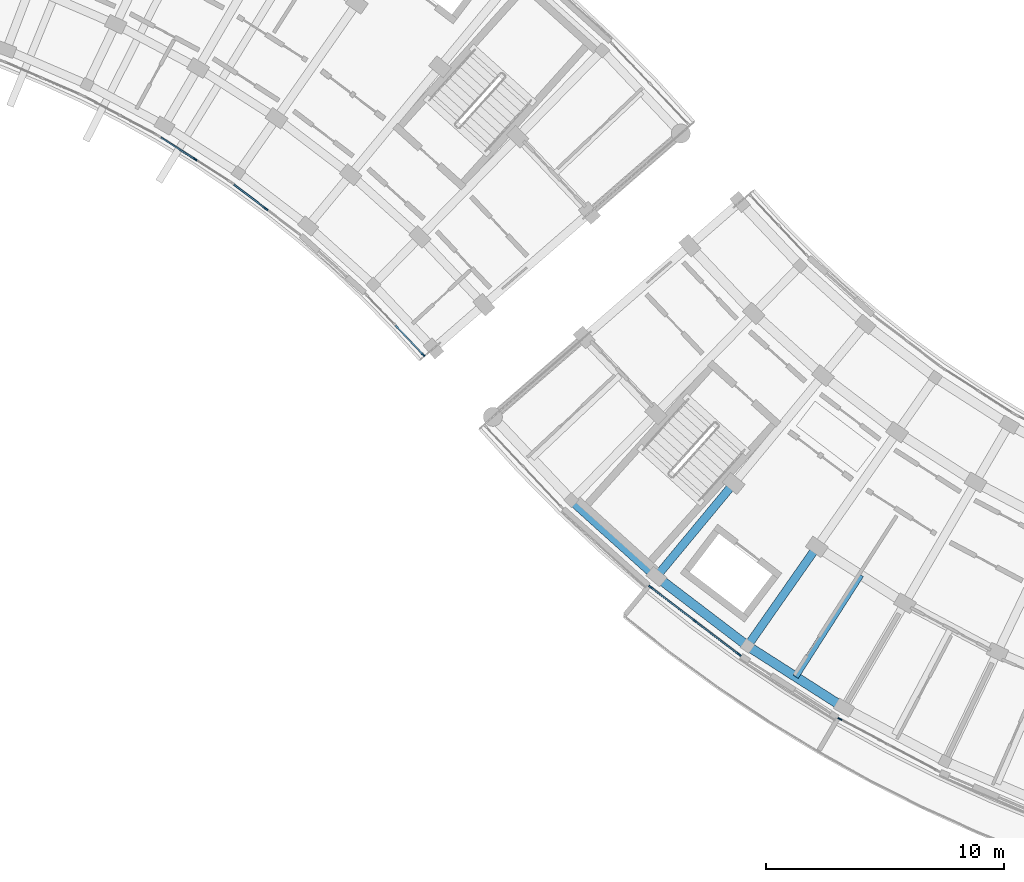
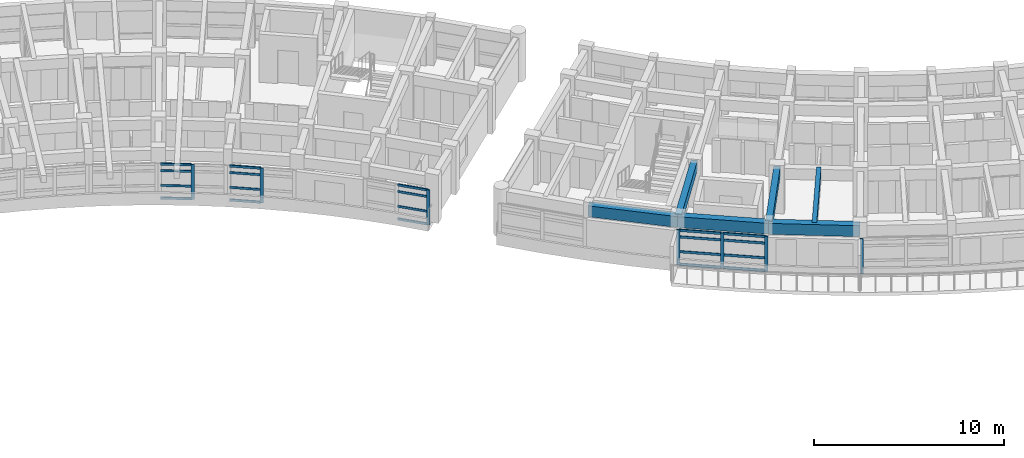
# One storey, part 9 of 54: 27 members, 6 beams, 5 elements without a shape of their own.
"""IFC4 building model written with IfcOpenShell, lengths in metres."""

from ifc_helpers import new_model, si_unit, direction, frame, origin, origin_2d, place, context, subcontext, project, spatial, rectangle, extrude, material, material_profile, profile_set, type_object, element, aggregate, save


model = new_model("IFC4")

# Units and contexts
model_context = context("Model", 3, precision=1e-05, world=origin(), true_north=direction((0.0, 1.0)))
body_context = subcontext(model_context, "Body", "Model", "MODEL_VIEW")
ifc_project = project(units=[si_unit("LENGTHUNIT", "METRE"), si_unit("AREAUNIT", "SQUARE_METRE"), si_unit("VOLUMEUNIT", "CUBIC_METRE"), si_unit("PLANEANGLEUNIT", "RADIAN"), si_unit("MASSUNIT", "GRAM", prefix="KILO")], contexts=[model_context])

# Site, building, storey
site_placement = place(None, origin())
site = spatial("IfcSite", under=ifc_project, at=site_placement, CompositionType="ELEMENT")
building_placement = place(site_placement, origin())
building = spatial("IfcBuilding", under=site, at=building_placement, Name="Zimvara Arc Housing Community", CompositionType="ELEMENT")
storey_placement = place(building_placement, frame((0.0, 0.0, 20.5)))
storey = spatial("IfcBuildingStorey", under=building, at=storey_placement, Name="L06", CompositionType="ELEMENT", Elevation=20.5)

# Beams
ifc_material_1 = material(Name="Concrete C40/50", Category="concrete")
ifc_material_profile_1 = material_profile(ifc_material_1, rectangle(XDim=0.25, YDim=0.449951171875, at=origin_2d()), Name="RC 250x450")
ifc_profile_set_1 = profile_set([ifc_material_profile_1], Name="Concrete C40/50")
beam_type_1 = type_object("IfcBeamType", Name="BM-RC-250x450", PredefinedType="JOIST", material=ifc_profile_set_1)
beam_1_placement = place(storey_placement, frame((97.00244140625, 64.583984375, 2.635009765625), z_axis=(-0.539052331508, -0.842272274206, 0.0), x_axis=(0.842272274206, -0.539052331508, 0.0)))
element("IfcBeam", 1, at=beam_1_placement, inside=storey, type_object=beam_type_1, Name="bm:blkC:L06:joist:b3", PredefinedType="JOIST", context=body_context, shape_type="SweptSolid", body=[
    extrude(rectangle(XDim=0.25, YDim=0.449951171875, at=origin_2d()), origin(), (0.0, 0.0, 1.0), 5.07568359375),
])
ifc_material_2 = material(Name="Concrete C40/50", Category="concrete")
ifc_material_profile_2 = material_profile(ifc_material_2, rectangle(XDim=0.35009765625, YDim=0.60009765625, at=origin_2d()), Name="RC 350x600")
ifc_profile_set_2 = profile_set([ifc_material_profile_2], Name="Concrete C40/50")
beam_type_2 = type_object("IfcBeamType", Name="BM-RC-350x600", PredefinedType="BEAM", material=ifc_profile_set_2)
beam_2_placement = place(storey_placement, frame((91.65771484375, 68.430419921875, 2.56005859375), z_axis=(-0.637960059333, -0.770069453164, 0.0), x_axis=(0.770069453164, -0.637960059333, 0.0)))
element("IfcBeam", 2, at=beam_2_placement, inside=storey, type_object=beam_type_2, Name="bm:blkC:L06:rad:b2:r23", PredefinedType="BEAM", context=body_context, shape_type="SweptSolid", body=[
    extrude(rectangle(XDim=0.35009765625, YDim=0.60009765625, at=origin_2d()), origin(), (0.0, 0.0, 1.0), 5.080322265625),
])
beam_3_placement = place(storey_placement, frame((95.15234375, 65.76806640625, 2.56005859375), z_axis=(-0.573007469479, -0.819550144848, 0.0), x_axis=(0.819550144848, -0.573007469479, 0.0)))
element("IfcBeam", 3, at=beam_3_placement, inside=storey, type_object=beam_type_2, Name="bm:blkC:L06:rad:b3:r23", PredefinedType="BEAM", context=body_context, shape_type="SweptSolid", body=[
    extrude(rectangle(XDim=0.35009765625, YDim=0.60009765625, at=origin_2d()), origin(), (0.0, 0.0, 1.0), 5.080078125),
])
ifc_material_3 = material(Name="Concrete C40/50", Category="concrete")
ifc_material_profile_3 = material_profile(ifc_material_3, rectangle(XDim=0.39990234375, YDim=0.699951171875, at=origin_2d()), Name="RC 400x700")
ifc_profile_set_3 = profile_set([ifc_material_profile_3], Name="Concrete C40/50")
beam_type_3 = type_object("IfcBeamType", Name="BM-RC-400x700", PredefinedType="BEAM", material=ifc_profile_set_3)
for number, where, z_axis, x_axis, name in (
    (4, (84.842529296875, 67.734375, 2.510009765625), (0.743369885629, -0.668880567172, 0.0), (0.668880567172, 0.743369885629, 0.0), "bm:blkC:L06:chord:r3:b1"),
    (5, (88.416748046875, 64.518310546875, 2.510009765625), (0.795480673672, -0.605978958228, 0.0), (0.605978958228, 0.795480673672, 0.0), "bm:blkC:L06:chord:r3:b2"),
    (6, (92.241455078125, 61.604736328125, 2.510009765625), (0.842278777856, -0.539042169383, 0.0), (0.539042169383, 0.842278777856, 0.0), "bm:blkC:L06:chord:r3:b3"),
):
    element("IfcBeam", number, at=place(storey_placement, frame(where, z_axis=z_axis, x_axis=x_axis)), inside=storey, type_object=beam_type_3, Name=name, PredefinedType="BEAM", context=body_context, shape_type="SweptSolid", body=[
        extrude(rectangle(XDim=0.39990234375, YDim=0.699951171875, at=origin_2d()), origin(), (0.0, 0.0, 1.0), 4.80810546875),
    ])

# Curtain wall, member
ifc_material_4 = material(Name="Anodised Aluminium AW-6063", Category="aluminium")
curtain_wall_type_1 = type_object("IfcCurtainWallType", Name="CW-SYS-02", PredefinedType="USERDEFINED", material=ifc_material_4)
curtain_wall_1_placement = place(storey_placement, origin())
curtain_wall_1 = element("IfcCurtainWall", 7, at=curtain_wall_1_placement, inside=storey, type_object=curtain_wall_type_1, Name="cw:blkB:L06:in:b6", ObjectType="CURTAIN WALL", PredefinedType="USERDEFINED")
ifc_material_5 = material(Name="Anodised Aluminium AW-6063", Category="aluminium")
ifc_material_profile_4 = material_profile(ifc_material_5, rectangle(XDim=0.06494140625, YDim=0.179931640625, at=origin_2d()), Name="ALU 65x180")
ifc_profile_set_4 = profile_set([ifc_material_profile_4], Name="Anodised Aluminium AW-6063")
member_type_1 = type_object("IfcMemberType", Name="CWM-65x150", PredefinedType="MULLION", material=ifc_profile_set_4)
member_1_placement = place(storey_placement, frame((69.032958984375, 82.050537109375, 0.0), z_axis=(0.0, 0.0, 1.0), x_axis=(0.539064085203, 0.842264751752, 0.0)))
member_1 = element("IfcMember", 8, at=member_1_placement, type_object=member_type_1, Name="CW02 mullion 2", PredefinedType="MULLION", context=body_context, shape_type="SweptSolid", body=[
    extrude(rectangle(XDim=0.06494140625, YDim=0.179931640625, at=origin_2d()), origin(), (0.0, 0.0, 1.0), 2.25),
])

ifc_material_6 = material(Name="Anodised Aluminium AW-6063", Category="aluminium")
curtain_wall_type_2 = type_object("IfcCurtainWallType", Name="CW-SYS-04", PredefinedType="USERDEFINED", material=ifc_material_6)
curtain_wall_2_placement = place(storey_placement, origin())
curtain_wall_2 = element("IfcCurtainWall", 9, at=curtain_wall_2_placement, inside=storey, type_object=curtain_wall_type_2, Name="cw:blkB:L06:in:b7", ObjectType="CURTAIN WALL", PredefinedType="USERDEFINED")
member_2_placement = place(storey_placement, frame((72.0166015625, 79.96435546875, 0.0), z_axis=(0.0, 0.0, 1.0), x_axis=(0.605988318533, 0.795473543119, 0.0)))
member_2 = element("IfcMember", 10, at=member_2_placement, type_object=member_type_1, Name="CW04 mullion 2", PredefinedType="MULLION", context=body_context, shape_type="SweptSolid", body=[
    extrude(rectangle(XDim=0.06494140625, YDim=0.179931640625, at=origin_2d()), origin(), (0.0, 0.0, 1.0), 2.25),
])

ifc_material_7 = material(Name="Anodised Aluminium AW-6063", Category="aluminium")
curtain_wall_type_3 = type_object("IfcCurtainWallType", Name="CW-SYS-06", PredefinedType="USERDEFINED", material=ifc_material_7)
curtain_wall_3_placement = place(storey_placement, origin())
curtain_wall_3 = element("IfcCurtainWall", 11, at=curtain_wall_3_placement, inside=storey, type_object=curtain_wall_type_3, Name="cw:blkB:L06:in:b9", ObjectType="CURTAIN WALL", PredefinedType="USERDEFINED")
member_3_placement = place(storey_placement, frame((78.611572265625, 73.840576171875, 0.0), z_axis=(0.0, 0.0, 1.0), x_axis=(0.727293280483, 0.686326805658, 0.0)))
member_3 = element("IfcMember", 12, at=member_3_placement, type_object=member_type_1, Name="CW06 mullion 3", PredefinedType="MULLION", context=body_context, shape_type="SweptSolid", body=[
    extrude(rectangle(XDim=0.06494140625, YDim=0.179931640625, at=origin_2d()), origin(), (0.0, 0.0, 1.0), 2.25),
])

curtain_wall_4_placement = place(storey_placement, origin())
curtain_wall_4 = element("IfcCurtainWall", 13, at=curtain_wall_4_placement, inside=storey, type_object=curtain_wall_type_1, Name="cw:blkC:L06:out:b4", ObjectType="CURTAIN WALL", PredefinedType="USERDEFINED")
member_4_placement = place(storey_placement, frame((96.120849609375, 58.537841796875, 0.0), z_axis=(0.0, 0.0, 1.0), x_axis=(0.468546917761, 0.883438614651, 0.0)))
member_4 = element("IfcMember", 14, at=member_4_placement, type_object=member_type_1, Name="CW02 mullion 1", PredefinedType="MULLION", context=body_context, shape_type="SweptSolid", body=[
    extrude(rectangle(XDim=0.06494140625, YDim=0.179931640625, at=origin_2d()), origin(), (0.0, 0.0, 1.0), 2.25),
])
aggregate(curtain_wall_4, [member_4])

# Curtain wall, members
ifc_material_8 = material(Name="Anodised Aluminium AW-6063", Category="aluminium")
curtain_wall_type_4 = type_object("IfcCurtainWallType", Name="CW-SYS-07", PredefinedType="USERDEFINED", material=ifc_material_8)
curtain_wall_5_placement = place(storey_placement, origin())
curtain_wall_5 = element("IfcCurtainWall", 15, at=curtain_wall_5_placement, inside=storey, type_object=curtain_wall_type_4, Name="cw:blkC:L06:out:b2", ObjectType="CURTAIN WALL", PredefinedType="USERDEFINED")
ifc_material_9 = material(Name="Anodised Aluminium AW-6063", Category="aluminium")
ifc_material_profile_5 = material_profile(ifc_material_9, rectangle(XDim=0.06494140625, YDim=0.195068359375, at=origin_2d()), Name="ALU 65x195")
ifc_profile_set_5 = profile_set([ifc_material_profile_5], Name="Anodised Aluminium AW-6063")
member_type_2 = type_object("IfcMemberType", Name="CWM-65x180", PredefinedType="MULLION", material=ifc_profile_set_5)
member_5_placement = place(storey_placement, frame((88.17138671875, 64.077392578125, 0.0), z_axis=(0.0, 0.0, 1.0), x_axis=(0.60598771987, 0.795473999177, 0.0)))
member_5 = element("IfcMember", 16, at=member_5_placement, type_object=member_type_2, Name="CW07 mullion 1", PredefinedType="MULLION", context=body_context, shape_type="SweptSolid", body=[
    extrude(rectangle(XDim=0.06494140625, YDim=0.195068359375, at=origin_2d()), origin(), (0.0, 0.0, 1.0), 2.25),
])
member_6_placement = place(storey_placement, frame((90.0263671875, 62.6640625, 0.0), z_axis=(0.0, 0.0, 1.0), x_axis=(0.60598771987, 0.795473999177, 0.0)))
member_6 = element("IfcMember", 17, at=member_6_placement, type_object=member_type_2, Name="CW07 mullion 2", PredefinedType="MULLION", context=body_context, shape_type="SweptSolid", body=[
    extrude(rectangle(XDim=0.06494140625, YDim=0.195068359375, at=origin_2d()), origin(), (0.0, 0.0, 1.0), 2.25),
])
member_7_placement = place(storey_placement, frame((91.88134765625, 61.2509765625, 0.0), z_axis=(0.0, 0.0, 1.0), x_axis=(0.60598771987, 0.795473999177, 0.0)))
member_7 = element("IfcMember", 18, at=member_7_placement, type_object=member_type_2, Name="CW07 mullion 3", PredefinedType="MULLION", context=body_context, shape_type="SweptSolid", body=[
    extrude(rectangle(XDim=0.06494140625, YDim=0.195068359375, at=origin_2d()), origin(), (0.0, 0.0, 1.0), 2.25),
])

# Member
ifc_material_10 = material(Name="Anodised Aluminium AW-6063", Category="aluminium")
ifc_material_profile_6 = material_profile(ifc_material_10, rectangle(XDim=0.06494140625, YDim=0.139892578125, at=origin_2d()), Name="ALU 65x140")
ifc_profile_set_6 = profile_set([ifc_material_profile_6], Name="Anodised Aluminium AW-6063")
member_type_3 = type_object("IfcMemberType", Name="CWT-65x120", PredefinedType="USERDEFINED", material=ifc_profile_set_6)
member_8_placement = place(storey_placement, frame((67.603759765625, 82.965087890625, 0.032470703125), z_axis=(0.842330007588, -0.538962112135, 0.0), x_axis=(0.538962112135, 0.842330007588, 0.0)))
member_8 = element("IfcMember", 19, at=member_8_placement, type_object=member_type_3, Name="CW02 transom 1.1", ObjectType="TRANSOM", PredefinedType="USERDEFINED", context=body_context, shape_type="SweptSolid", body=[
    extrude(rectangle(XDim=0.06494140625, YDim=0.139892578125, at=origin_2d()), origin(), (0.0, 0.0, 1.0), 1.664306640625),
])

member_9_placement = place(storey_placement, frame((67.603759765625, 82.965087890625, 0.85009765625), z_axis=(0.842330007588, -0.538962112135, 0.0), x_axis=(0.538962112135, 0.842330007588, 0.0)))
member_9 = element("IfcMember", 20, at=member_9_placement, type_object=member_type_3, Name="CW02 transom 1.2", ObjectType="TRANSOM", PredefinedType="USERDEFINED", context=body_context, shape_type="SweptSolid", body=[
    extrude(rectangle(XDim=0.06494140625, YDim=0.139892578125, at=origin_2d()), origin(), (0.0, 0.0, 1.0), 1.664306640625),
])

member_10_placement = place(storey_placement, frame((67.603759765625, 82.965087890625, 1.800048828125), z_axis=(0.842330007588, -0.538962112135, 0.0), x_axis=(0.538962112135, 0.842330007588, 0.0)))
member_10 = element("IfcMember", 21, at=member_10_placement, type_object=member_type_3, Name="CW02 transom 1.3", ObjectType="TRANSOM", PredefinedType="USERDEFINED", context=body_context, shape_type="SweptSolid", body=[
    extrude(rectangle(XDim=0.06494140625, YDim=0.139892578125, at=origin_2d()), origin(), (0.0, 0.0, 1.0), 1.664306640625),
])

member_11_placement = place(storey_placement, frame((67.603759765625, 82.965087890625, 2.217529296875), z_axis=(0.842330007588, -0.538962112135, 0.0), x_axis=(0.538962112135, 0.842330007588, 0.0)))
member_11 = element("IfcMember", 22, at=member_11_placement, type_object=member_type_3, Name="CW02 transom 1.4", ObjectType="TRANSOM", PredefinedType="USERDEFINED", context=body_context, shape_type="SweptSolid", body=[
    extrude(rectangle(XDim=0.06494140625, YDim=0.139892578125, at=origin_2d()), origin(), (0.0, 0.0, 1.0), 1.664306640625),
])

aggregate(curtain_wall_1, [member_1, member_8, member_9, member_10, member_11])

member_12_placement = place(storey_placement, frame((70.6669921875, 80.99267578125, 0.032470703125), z_axis=(0.795435087713, -0.606038795157, 0.0), x_axis=(0.606038795157, 0.795435087713, 0.0)))
member_12 = element("IfcMember", 23, at=member_12_placement, type_object=member_type_3, Name="CW04 transom 1.1", ObjectType="TRANSOM", PredefinedType="USERDEFINED", context=body_context, shape_type="SweptSolid", body=[
    extrude(rectangle(XDim=0.06494140625, YDim=0.139892578125, at=origin_2d()), origin(), (0.0, 0.0, 1.0), 1.6640625),
])

member_13_placement = place(storey_placement, frame((70.6669921875, 80.99267578125, 0.85009765625), z_axis=(0.795435087713, -0.606038795157, 0.0), x_axis=(0.606038795157, 0.795435087713, 0.0)))
member_13 = element("IfcMember", 24, at=member_13_placement, type_object=member_type_3, Name="CW04 transom 1.2", ObjectType="TRANSOM", PredefinedType="USERDEFINED", context=body_context, shape_type="SweptSolid", body=[
    extrude(rectangle(XDim=0.06494140625, YDim=0.139892578125, at=origin_2d()), origin(), (0.0, 0.0, 1.0), 1.6640625),
])

member_14_placement = place(storey_placement, frame((70.6669921875, 80.99267578125, 1.800048828125), z_axis=(0.795435087713, -0.606038795157, 0.0), x_axis=(0.606038795157, 0.795435087713, 0.0)))
member_14 = element("IfcMember", 25, at=member_14_placement, type_object=member_type_3, Name="CW04 transom 1.3", ObjectType="TRANSOM", PredefinedType="USERDEFINED", context=body_context, shape_type="SweptSolid", body=[
    extrude(rectangle(XDim=0.06494140625, YDim=0.139892578125, at=origin_2d()), origin(), (0.0, 0.0, 1.0), 1.6640625),
])

member_15_placement = place(storey_placement, frame((70.6669921875, 80.99267578125, 2.217529296875), z_axis=(0.795435087713, -0.606038795157, 0.0), x_axis=(0.606038795157, 0.795435087713, 0.0)))
member_15 = element("IfcMember", 26, at=member_15_placement, type_object=member_type_3, Name="CW04 transom 1.4", ObjectType="TRANSOM", PredefinedType="USERDEFINED", context=body_context, shape_type="SweptSolid", body=[
    extrude(rectangle(XDim=0.06494140625, YDim=0.139892578125, at=origin_2d()), origin(), (0.0, 0.0, 1.0), 1.6640625),
])

aggregate(curtain_wall_2, [member_2, member_12, member_13, member_14, member_15])

member_16_placement = place(storey_placement, frame((77.447021484375, 75.07470703125, 0.032470703125), z_axis=(0.686347817597, -0.727273451516, 0.0), x_axis=(0.727273451516, 0.686347817597, 0.0)))
member_16 = element("IfcMember", 27, at=member_16_placement, type_object=member_type_3, Name="CW06 transom 2.1", ObjectType="TRANSOM", PredefinedType="USERDEFINED", context=body_context, shape_type="SweptSolid", body=[
    extrude(rectangle(XDim=0.06494140625, YDim=0.139892578125, at=origin_2d()), origin(), (0.0, 0.0, 1.0), 1.664306640625),
])

member_17_placement = place(storey_placement, frame((77.447021484375, 75.07470703125, 0.85009765625), z_axis=(0.686347817597, -0.727273451516, 0.0), x_axis=(0.727273451516, 0.686347817597, 0.0)))
member_17 = element("IfcMember", 28, at=member_17_placement, type_object=member_type_3, Name="CW06 transom 2.2", ObjectType="TRANSOM", PredefinedType="USERDEFINED", context=body_context, shape_type="SweptSolid", body=[
    extrude(rectangle(XDim=0.06494140625, YDim=0.139892578125, at=origin_2d()), origin(), (0.0, 0.0, 1.0), 1.664306640625),
])

member_18_placement = place(storey_placement, frame((77.447021484375, 75.07470703125, 1.800048828125), z_axis=(0.686347817597, -0.727273451516, 0.0), x_axis=(0.727273451516, 0.686347817597, 0.0)))
member_18 = element("IfcMember", 29, at=member_18_placement, type_object=member_type_3, Name="CW06 transom 2.3", ObjectType="TRANSOM", PredefinedType="USERDEFINED", context=body_context, shape_type="SweptSolid", body=[
    extrude(rectangle(XDim=0.06494140625, YDim=0.139892578125, at=origin_2d()), origin(), (0.0, 0.0, 1.0), 1.664306640625),
])

member_19_placement = place(storey_placement, frame((77.447021484375, 75.07470703125, 2.217529296875), z_axis=(0.686347817597, -0.727273451516, 0.0), x_axis=(0.727273451516, 0.686347817597, 0.0)))
member_19 = element("IfcMember", 30, at=member_19_placement, type_object=member_type_3, Name="CW06 transom 2.4", ObjectType="TRANSOM", PredefinedType="USERDEFINED", context=body_context, shape_type="SweptSolid", body=[
    extrude(rectangle(XDim=0.06494140625, YDim=0.139892578125, at=origin_2d()), origin(), (0.0, 0.0, 1.0), 1.664306640625),
])

aggregate(curtain_wall_3, [member_3, member_16, member_17, member_18, member_19])

ifc_material_11 = material(Name="Anodised Aluminium AW-6063", Category="aluminium")
ifc_material_profile_7 = material_profile(ifc_material_11, rectangle(XDim=0.06494140625, YDim=0.155029296875, at=origin_2d()), Name="ALU 65x155")
ifc_profile_set_7 = profile_set([ifc_material_profile_7], Name="Anodised Aluminium AW-6063")
member_type_4 = type_object("IfcMemberType", Name="CWT-65x140", PredefinedType="USERDEFINED", material=ifc_profile_set_7)
member_20_placement = place(storey_placement, frame((88.197265625, 64.0576171875, 0.032470703125), z_axis=(0.795453969776, -0.606014011363, 0.0), x_axis=(0.606014011363, 0.795453969776, 0.0)))
member_20 = element("IfcMember", 31, at=member_20_placement, type_object=member_type_4, Name="CW07 transom 1.1", ObjectType="TRANSOM", PredefinedType="USERDEFINED", context=body_context, shape_type="SweptSolid", body=[
    extrude(rectangle(XDim=0.06494140625, YDim=0.155029296875, at=origin_2d()), origin(), (0.0, 0.0, 1.0), 2.266845703125),
])

member_21_placement = place(storey_placement, frame((88.197265625, 64.0576171875, 0.85009765625), z_axis=(0.795453969776, -0.606014011363, 0.0), x_axis=(0.606014011363, 0.795453969776, 0.0)))
member_21 = element("IfcMember", 32, at=member_21_placement, type_object=member_type_4, Name="CW07 transom 1.2", ObjectType="TRANSOM", PredefinedType="USERDEFINED", context=body_context, shape_type="SweptSolid", body=[
    extrude(rectangle(XDim=0.06494140625, YDim=0.155029296875, at=origin_2d()), origin(), (0.0, 0.0, 1.0), 2.266845703125),
])

member_22_placement = place(storey_placement, frame((88.197265625, 64.0576171875, 1.800048828125), z_axis=(0.795453969776, -0.606014011363, 0.0), x_axis=(0.606014011363, 0.795453969776, 0.0)))
member_22 = element("IfcMember", 33, at=member_22_placement, type_object=member_type_4, Name="CW07 transom 1.3", ObjectType="TRANSOM", PredefinedType="USERDEFINED", context=body_context, shape_type="SweptSolid", body=[
    extrude(rectangle(XDim=0.06494140625, YDim=0.155029296875, at=origin_2d()), origin(), (0.0, 0.0, 1.0), 2.266845703125),
])

member_23_placement = place(storey_placement, frame((88.197265625, 64.0576171875, 2.217529296875), z_axis=(0.795453969776, -0.606014011363, 0.0), x_axis=(0.606014011363, 0.795453969776, 0.0)))
member_23 = element("IfcMember", 34, at=member_23_placement, type_object=member_type_4, Name="CW07 transom 1.4", ObjectType="TRANSOM", PredefinedType="USERDEFINED", context=body_context, shape_type="SweptSolid", body=[
    extrude(rectangle(XDim=0.06494140625, YDim=0.155029296875, at=origin_2d()), origin(), (0.0, 0.0, 1.0), 2.266845703125),
])

member_24_placement = place(storey_placement, frame((90.05224609375, 62.64453125, 0.032470703125), z_axis=(0.795453969776, -0.606014011363, 0.0), x_axis=(0.606014011363, 0.795453969776, 0.0)))
member_24 = element("IfcMember", 35, at=member_24_placement, type_object=member_type_4, Name="CW07 transom 2.1", ObjectType="TRANSOM", PredefinedType="USERDEFINED", context=body_context, shape_type="SweptSolid", body=[
    extrude(rectangle(XDim=0.06494140625, YDim=0.155029296875, at=origin_2d()), origin(), (0.0, 0.0, 1.0), 2.266845703125),
])

member_25_placement = place(storey_placement, frame((90.05224609375, 62.64453125, 0.85009765625), z_axis=(0.795453969776, -0.606014011363, 0.0), x_axis=(0.606014011363, 0.795453969776, 0.0)))
member_25 = element("IfcMember", 36, at=member_25_placement, type_object=member_type_4, Name="CW07 transom 2.2", ObjectType="TRANSOM", PredefinedType="USERDEFINED", context=body_context, shape_type="SweptSolid", body=[
    extrude(rectangle(XDim=0.06494140625, YDim=0.155029296875, at=origin_2d()), origin(), (0.0, 0.0, 1.0), 2.266845703125),
])

member_26_placement = place(storey_placement, frame((90.05224609375, 62.64453125, 1.800048828125), z_axis=(0.795453969776, -0.606014011363, 0.0), x_axis=(0.606014011363, 0.795453969776, 0.0)))
member_26 = element("IfcMember", 37, at=member_26_placement, type_object=member_type_4, Name="CW07 transom 2.3", ObjectType="TRANSOM", PredefinedType="USERDEFINED", context=body_context, shape_type="SweptSolid", body=[
    extrude(rectangle(XDim=0.06494140625, YDim=0.155029296875, at=origin_2d()), origin(), (0.0, 0.0, 1.0), 2.266845703125),
])

member_27_placement = place(storey_placement, frame((90.05224609375, 62.64453125, 2.217529296875), z_axis=(0.795453969776, -0.606014011363, 0.0), x_axis=(0.606014011363, 0.795453969776, 0.0)))
member_27 = element("IfcMember", 38, at=member_27_placement, type_object=member_type_4, Name="CW07 transom 2.4", ObjectType="TRANSOM", PredefinedType="USERDEFINED", context=body_context, shape_type="SweptSolid", body=[
    extrude(rectangle(XDim=0.06494140625, YDim=0.155029296875, at=origin_2d()), origin(), (0.0, 0.0, 1.0), 2.266845703125),
])

aggregate(curtain_wall_5, [member_5, member_6, member_7, member_20, member_21, member_22, member_23, member_24, member_25, member_26, member_27])

save(model, "model.ifc")
